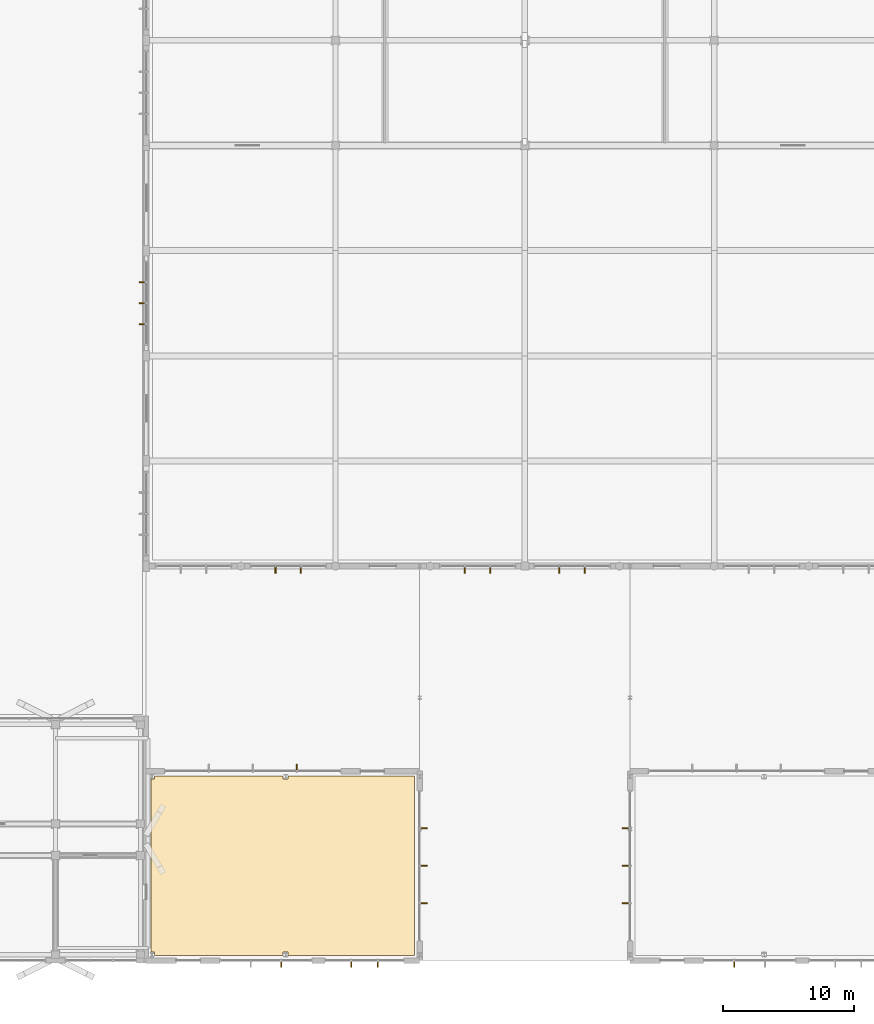
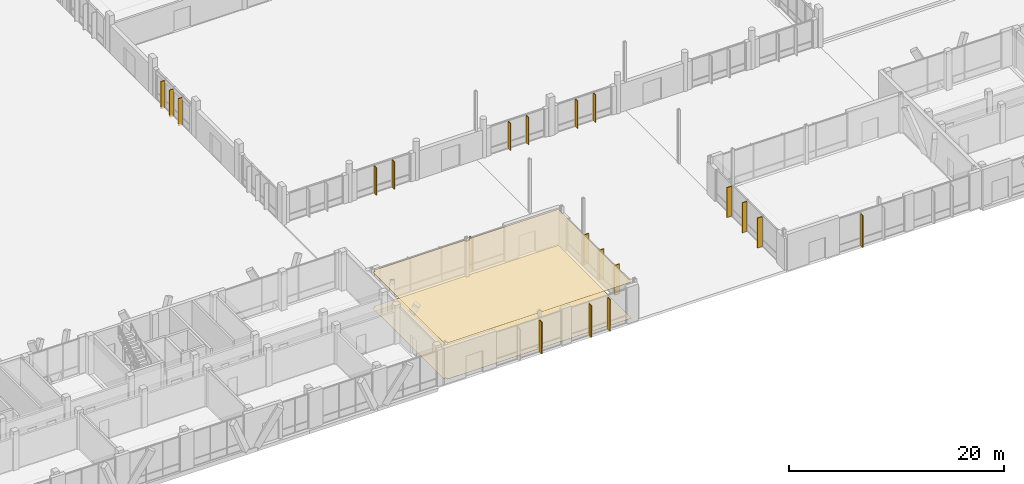
# One storey, part 215 of 233: 20 shading devices, 2 coverings.
"""IFC4 building model written with IfcOpenShell, lengths in metres."""

from ifc_helpers import new_model, si_unit, direction, frame, origin, origin_2d, place, context, subcontext, project, spatial, polyline, rectangle, outline, extrude, material, layer, layer_set, type_object, element, save


model = new_model("IFC4")

# Units and contexts
model_context = context("Model", 3, precision=1e-05, world=origin(), true_north=direction((0.0, 1.0)))
body_context = subcontext(model_context, "Body", "Model", "MODEL_VIEW")
ifc_project = project(units=[si_unit("LENGTHUNIT", "METRE"), si_unit("AREAUNIT", "SQUARE_METRE"), si_unit("VOLUMEUNIT", "CUBIC_METRE"), si_unit("PLANEANGLEUNIT", "RADIAN"), si_unit("MASSUNIT", "GRAM", prefix="KILO")], contexts=[model_context])

# Site, building, storey
site_placement = place(None, origin())
site = spatial("IfcSite", under=ifc_project, at=site_placement, CompositionType="ELEMENT")
building_placement = place(site_placement, origin())
building = spatial("IfcBuilding", under=site, at=building_placement, Name="Zavelmont Quarter", CompositionType="ELEMENT")
storey_placement = place(building_placement, origin())
storey = spatial("IfcBuildingStorey", under=building, at=storey_placement, Name="L00", CompositionType="ELEMENT", Elevation=0.0)

# Coverings
ifc_material_1 = material(Name="Perforated acoustic gypsum board")
ifc_layer_1 = layer(ifc_material_1, 0.02490234375)
ifc_layer_set_1 = layer_set([ifc_layer_1], Name="Perforated acoustic gypsum board")
covering_type_1 = type_object("IfcCoveringType", Name="CV-CL01", PredefinedType="CEILING", material=ifc_layer_set_1)
covering_1_placement = place(storey_placement, frame((0.0, 0.0, 4.094970703125)))
element("IfcCovering", 1, at=covering_1_placement, inside=storey, type_object=covering_type_1, Name="L00 Neighbourhood Bookshop acoustic ceiling", PredefinedType="CEILING", context=body_context, shape_type="SweptSolid", body=[
    extrude(outline(polyline([(55.580078125, 13.81005859375), (55.830078125, 13.81005859375), (55.830078125, 14.02001953125), (65.610107421875, 14.02001953125), (65.610107421875, 13.81005859375), (65.989990234375, 13.81005859375), (65.989990234375, 14.02001953125), (75.6201171875, 14.02001953125), (75.6201171875, 0.3798828125), (65.989990234375, 0.3798828125), (65.989990234375, 0.6298828125), (65.610107421875, 0.6298828125), (65.610107421875, 0.3798828125), (55.830078125, 0.3798828125), (55.830078125, 0.6298828125), (55.580078125, 0.6298828125), (55.580078125, 13.81005859375)])), origin(), (0.0, 0.0, 1.0), 0.025146484375),
])
ifc_material_2 = material(Name="Engineered European oak parquet")
ifc_layer_2 = layer(ifc_material_2, 0.02197265625)
ifc_layer_set_2 = layer_set([ifc_layer_2], Name="Engineered European oak parquet")
covering_type_2 = type_object("IfcCoveringType", Name="CV-FL01", PredefinedType="FLOORING", material=ifc_layer_set_2)
covering_2_placement = place(storey_placement, origin())
element("IfcCovering", 2, at=covering_2_placement, inside=storey, type_object=covering_type_2, Name="L00 Neighbourhood Bookshop floor finish", PredefinedType="FLOORING", context=body_context, shape_type="SweptSolid", body=[
    extrude(outline(polyline([(55.580078125, 13.81005859375), (55.830078125, 13.81005859375), (55.830078125, 14.02001953125), (65.610107421875, 14.02001953125), (65.610107421875, 13.81005859375), (65.989990234375, 13.81005859375), (65.989990234375, 14.02001953125), (75.6201171875, 14.02001953125), (75.6201171875, 0.3798828125), (65.989990234375, 0.3798828125), (65.989990234375, 0.6298828125), (65.610107421875, 0.6298828125), (65.610107421875, 0.3798828125), (55.830078125, 0.3798828125), (55.830078125, 0.6298828125), (55.580078125, 0.6298828125), (55.580078125, 13.81005859375)])), origin(), (0.0, 0.0, 1.0), 0.02197265625),
])

# Shading devices
ifc_material_3 = material(Name="Anodised aluminium EN AW-6063-T6", Category="aluminium")
shading_device_type_1 = type_object("IfcShadingDeviceType", Name="SD01", PredefinedType="JALOUSIE", material=ifc_material_3)
for number, where, z_axis, x_axis, name in (
    (3, (65.466796875, -0.294921875, 0.050048828125), (0.0, 0.0, 1.0), (1.0, 0.0, 0.0), "L00 solar brise-soleil fin SD01"),
    (4, (70.800048828125, -0.294921875, 0.050048828125), (0.0, 0.0, 1.0), (1.0, 0.0, 0.0), "L00 solar brise-soleil fin SD01"),
    (5, (72.800048828125, -0.294921875, 0.050048828125), (0.0, 0.0, 1.0), (1.0, 0.0, 0.0), "L00 solar brise-soleil fin SD01"),
    (6, (66.64990234375, 14.695068359375, 0.050048828125), (0.0, 0.0, 1.0), (1.0, 0.0, 0.0), "L00 solar brise-soleil fin SD01"),
    (7, (99.933349609375, -0.294921875, 0.050048828125), (0.0, 0.0, 1.0), (1.0, 0.0, 0.0), "L00 solar brise-soleil fin SD01"),
):
    element("IfcShadingDevice", number, at=place(storey_placement, frame(where, z_axis=z_axis, x_axis=x_axis)), inside=storey, type_object=shading_device_type_1, Name=name, PredefinedType="JALOUSIE", context=body_context, shape_type="SweptSolid", body=[
        extrude(rectangle(XDim=0.080078125, YDim=0.449951171875, at=origin_2d()), origin(), (0.0, 0.0, 1.0), 3.60009765625),
    ])
shading_device_type_2 = type_object("IfcShadingDeviceType", Name="SD02", PredefinedType="JALOUSIE", material=ifc_material_3)
for number, where, z_axis, x_axis, name in (
    (8, (54.885009765625, 48.39990234375, 0.050048828125), (0.0, 0.0, 1.0), (0.0, 1.0, 0.0), "L00 solar brise-soleil fin SD02"),
    (9, (54.885009765625, 50.0, 0.050048828125), (0.0, 0.0, 1.0), (0.0, 1.0, 0.0), "L00 solar brise-soleil fin SD02"),
    (10, (54.885009765625, 51.60009765625, 0.050048828125), (0.0, 0.0, 1.0), (0.0, 1.0, 0.0), "L00 solar brise-soleil fin SD02"),
    (11, (65.033203125, 29.68505859375, 0.050048828125), (0.0, 0.0, 1.0), (1.0, 0.0, 0.0), "L00 solar brise-soleil fin SD02"),
    (12, (66.966796875, 29.68505859375, 0.050048828125), (0.0, 0.0, 1.0), (1.0, 0.0, 0.0), "L00 solar brise-soleil fin SD02"),
    (13, (79.433349609375, 29.68505859375, 0.050048828125), (0.0, 0.0, 1.0), (1.0, 0.0, 0.0), "L00 solar brise-soleil fin SD02"),
    (14, (81.36669921875, 29.68505859375, 0.050048828125), (0.0, 0.0, 1.0), (1.0, 0.0, 0.0), "L00 solar brise-soleil fin SD02"),
    (15, (86.63330078125, 29.68505859375, 0.050048828125), (0.0, 0.0, 1.0), (1.0, 0.0, 0.0), "L00 solar brise-soleil fin SD02"),
    (16, (88.566650390625, 29.68505859375, 0.050048828125), (0.0, 0.0, 1.0), (1.0, 0.0, 0.0), "L00 solar brise-soleil fin SD02"),
):
    element("IfcShadingDevice", number, at=place(storey_placement, frame(where, z_axis=z_axis, x_axis=x_axis)), inside=storey, type_object=shading_device_type_2, Name=name, PredefinedType="JALOUSIE", context=body_context, shape_type="SweptSolid", body=[
        extrude(rectangle(XDim=0.080078125, YDim=0.449951171875, at=origin_2d()), origin(), (0.0, 0.0, 1.0), 3.10009765625),
    ])
shading_device_type_3 = type_object("IfcShadingDeviceType", Name="SD04", PredefinedType="JALOUSIE", material=ifc_material_3)
for number, where, z_axis, x_axis, name in (
    (17, (76.330078125, 4.35009765625, 0.050048828125), (0.0, 0.0, 1.0), (0.0, 1.0, 0.0), "L00 solar brise-soleil fin SD04"),
    (18, (76.330078125, 7.199951171875, 0.050048828125), (0.0, 0.0, 1.0), (0.0, 1.0, 0.0), "L00 solar brise-soleil fin SD04"),
    (19, (76.330078125, 10.050048828125, 0.050048828125), (0.0, 0.0, 1.0), (0.0, 1.0, 0.0), "L00 solar brise-soleil fin SD04"),
    (20, (91.669921875, 4.35009765625, 0.050048828125), (0.0, 0.0, 1.0), (0.0, 1.0, 0.0), "L00 solar brise-soleil fin SD04"),
    (21, (91.669921875, 7.199951171875, 0.050048828125), (0.0, 0.0, 1.0), (0.0, 1.0, 0.0), "L00 solar brise-soleil fin SD04"),
    (22, (91.669921875, 10.050048828125, 0.050048828125), (0.0, 0.0, 1.0), (0.0, 1.0, 0.0), "L00 solar brise-soleil fin SD04"),
):
    element("IfcShadingDevice", number, at=place(storey_placement, frame(where, z_axis=z_axis, x_axis=x_axis)), inside=storey, type_object=shading_device_type_3, Name=name, PredefinedType="JALOUSIE", context=body_context, shape_type="SweptSolid", body=[
        extrude(rectangle(XDim=0.090087890625, YDim=0.52001953125, at=origin_2d()), origin(), (0.0, 0.0, 1.0), 3.39990234375),
    ])

save(model, "model.ifc")
